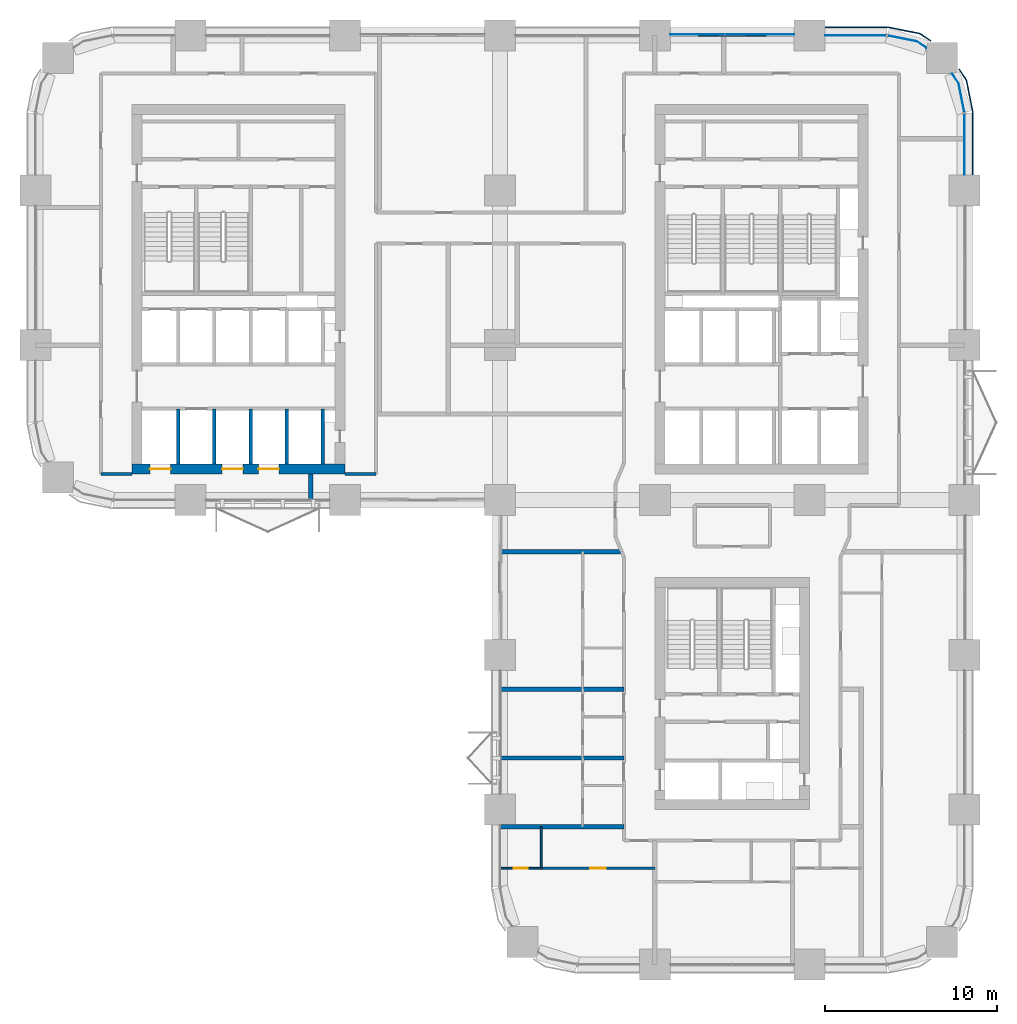
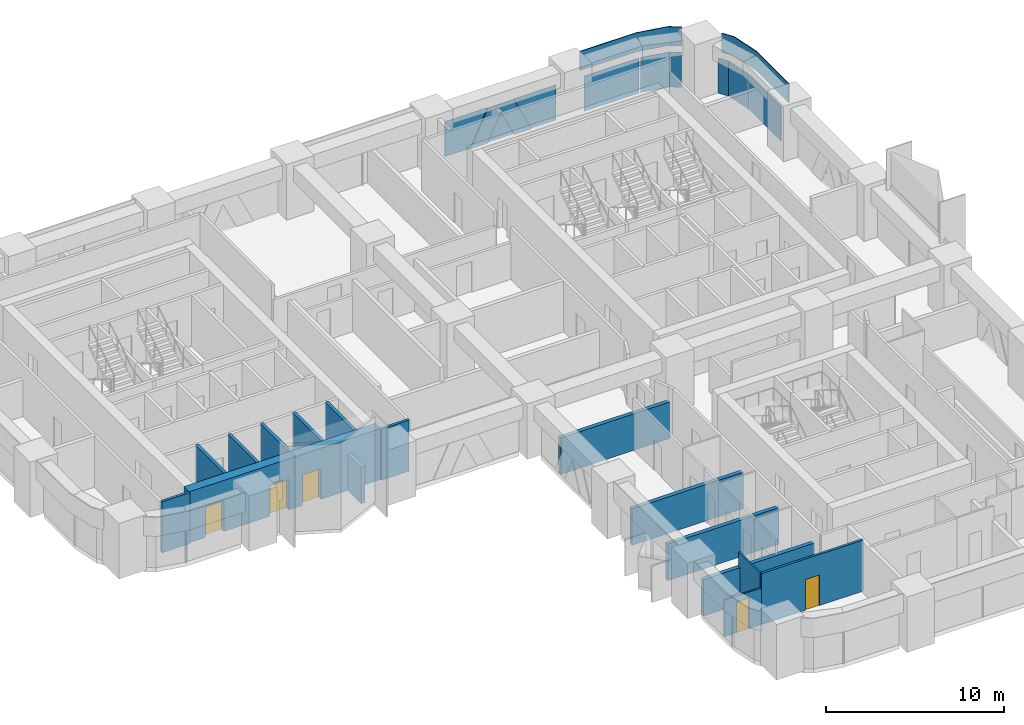
# One storey, part 12 of 24: 16 walls, 10 plates, 5 doors, 5 openings, 3 elements without a shape of their own.
"""IFC4 building model written with IfcOpenShell, lengths in metres."""

from ifc_helpers import new_model, si_unit, direction, frame, frame_2d, origin, origin_2d, place, context, subcontext, project, spatial, polyline, rectangle, outline, extrude, material, layer, layer_set, type_object, element, fill, aggregate, save


model = new_model("IFC4")

# Units and contexts
model_context = context("Model", 3, precision=1e-05, world=origin(), true_north=direction((0.0, 1.0)))
body_context = subcontext(model_context, "Body", "Model", "MODEL_VIEW")
ifc_project = project(units=[si_unit("LENGTHUNIT", "METRE"), si_unit("AREAUNIT", "SQUARE_METRE"), si_unit("VOLUMEUNIT", "CUBIC_METRE"), si_unit("PLANEANGLEUNIT", "RADIAN"), si_unit("MASSUNIT", "GRAM", prefix="KILO")], contexts=[model_context])

# Site, building, storey
site_placement = place(None, origin())
site = spatial("IfcSite", under=ifc_project, at=site_placement, CompositionType="ELEMENT")
building_placement = place(site_placement, origin())
building = spatial("IfcBuilding", under=site, at=building_placement, Name="Tessera Arch", CompositionType="ELEMENT")
storey_placement = place(building_placement, frame((0.0, 0.0, 81.60009765625)))
storey = spatial("IfcBuildingStorey", under=building, at=storey_placement, Name="L18", CompositionType="ELEMENT", Elevation=81.60009765625)

# Curtain wall, plates
ifc_material_1 = material(Name="CW2 curtain wall")
curtain_wall_type_1 = type_object("IfcCurtainWallType", Name="CW2 curtain wall", PredefinedType="NOTDEFINED", material=ifc_material_1)
curtain_wall_1_placement = place(storey_placement, origin())
curtain_wall_1 = element("IfcCurtainWall", 1, at=curtain_wall_1_placement, inside=storey, type_object=curtain_wall_type_1, Name="CW2 curtain wall E54.0/5 L18", PredefinedType="NOTDEFINED")
ifc_material_2 = material(Name="Clear low-e glass", Category="glass")
ifc_material_3 = material(Name="Clear low-e glass", Category="glass")
ifc_layer_1 = layer(ifc_material_3, 0.028076171875)
ifc_layer_set_1 = layer_set([ifc_layer_1], Name="CW2 glass panel")
plate_type_1 = type_object("IfcPlateType", Name="CW2 glass panel", PredefinedType="CURTAIN_PANEL", material=ifc_layer_set_1)
plate_1_placement = place(storey_placement, frame((54.0, 47.679931640625, 0.0), z_axis=(0.0, 0.0, 1.0), x_axis=(0.0, 1.0, 0.0)))
plate_1 = element("IfcPlate", 2, at=plate_1_placement, type_object=plate_type_1, material=ifc_material_2, Name="CW2 glass panel E54.0/5 1.1", PredefinedType="CURTAIN_PANEL", context=body_context, shape_type="SweptSolid", body=[
    extrude(rectangle(XDim=3.56005859375, YDim=0.028076171875, at=origin_2d()), origin(), (0.0, 0.0, 1.0), 2.39990234375),
])
plate_2_placement = place(storey_placement, origin())
plate_2 = element("IfcPlate", 3, at=plate_2_placement, type_object=plate_type_1, material=ifc_material_2, Name="CW2 curved glass panel E54.0/5 2.1", PredefinedType="CURTAIN_PANEL", context=body_context, shape_type="SweptSolid", body=[
    extrude(outline(polyline([(53.644287109375, 51.216552734375), (53.978515625, 49.53662109375), (54.005859375, 49.5419921875), (53.670654296875, 51.2275390625), (53.294921875, 51.789794921875), (53.271728515625, 51.774169921875), (53.644287109375, 51.216552734375)])), origin(), (0.0, 0.0, 1.0), 2.39990234375),
])

curtain_wall_2_placement = place(storey_placement, origin())
curtain_wall_2 = element("IfcCurtainWall", 4, at=curtain_wall_2_placement, inside=storey, type_object=curtain_wall_type_1, Name="CW2 curtain wall N54.0/5 L18", PredefinedType="NOTDEFINED")
plate_3_placement = place(storey_placement, frame((47.679931640625, 54.0, 0.0), z_axis=(0.0, 0.0, 1.0), x_axis=(-1.0, 0.0, 0.0)))
plate_3 = element("IfcPlate", 5, at=plate_3_placement, type_object=plate_type_1, material=ifc_material_2, Name="CW2 glass panel N54.0/5 1.1", PredefinedType="CURTAIN_PANEL", context=body_context, shape_type="SweptSolid", body=[
    extrude(rectangle(XDim=3.56005859375, YDim=0.028076171875, at=origin_2d()), origin(), (0.0, 0.0, 1.0), 2.39990234375),
])
plate_4_placement = place(storey_placement, origin())
plate_4 = element("IfcPlate", 6, at=plate_4_placement, type_object=plate_type_1, material=ifc_material_2, Name="CW2 curved glass panel N54.0/5 2.1", PredefinedType="CURTAIN_PANEL", context=body_context, shape_type="SweptSolid", body=[
    extrude(outline(polyline([(51.216552734375, 53.644287109375), (51.774169921875, 53.271728515625), (51.789794921875, 53.294921875), (51.2275390625, 53.670654296875), (49.5419921875, 54.005859375), (49.53662109375, 53.978515625), (51.216552734375, 53.644287109375)])), origin(), (0.0, 0.0, 1.0), 2.39990234375),
])

# Plate
ifc_material_4 = material(Name="Pale anodised aluminium panel", Category="aluminium")
ifc_layer_2 = layer(ifc_material_4, 0.06005859375)
ifc_layer_set_2 = layer_set([ifc_layer_2], Name="CW2 spandrel panel")
plate_type_2 = type_object("IfcPlateType", Name="CW2 spandrel panel", PredefinedType="CURTAIN_PANEL", material=ifc_layer_set_2)
plate_5_placement = place(storey_placement, frame((0.0, 0.0, 2.5)))
plate_5 = element("IfcPlate", 7, at=plate_5_placement, type_object=plate_type_2, Name="CW2 spandrel panel E54.0/5", PredefinedType="CURTAIN_PANEL", context=body_context, shape_type="SweptSolid", body=[
    extrude(outline(polyline([(54.449951171875, 49.499267578125), (54.449951171875, 45.89990234375), (54.510009765625, 45.89990234375), (54.510009765625, 49.500732421875), (54.507568359375, 49.550048828125), (54.500244140625, 49.598876953125), (54.157470703125, 51.322265625), (54.1455078125, 51.3701171875), (54.128662109375, 51.417236328125), (54.107177734375, 51.462646484375), (54.08203125, 51.5048828125), (53.707275390625, 52.0654296875), (53.657470703125, 52.031982421875), (54.03125, 51.47265625), (54.05419921875, 51.434326171875), (54.0732421875, 51.394287109375), (54.088134765625, 51.352783203125), (54.09912109375, 51.30908203125), (54.441162109375, 49.588623046875), (54.44775390625, 49.544189453125), (54.449951171875, 49.499267578125)])), origin(), (0.0, 0.0, 1.0), 1.2998046875),
])

aggregate(curtain_wall_1, [plate_1, plate_2, plate_5])

plate_6_placement = place(storey_placement, frame((0.0, 0.0, 2.5)))
plate_6 = element("IfcPlate", 8, at=plate_6_placement, type_object=plate_type_2, Name="CW2 spandrel panel N54.0/5", PredefinedType="CURTAIN_PANEL", context=body_context, shape_type="SweptSolid", body=[
    extrude(outline(polyline([(51.47265625, 54.03125), (52.031982421875, 53.657470703125), (52.0654296875, 53.707275390625), (51.5048828125, 54.08203125), (51.462646484375, 54.107177734375), (51.417236328125, 54.128662109375), (51.3701171875, 54.1455078125), (51.322265625, 54.157470703125), (49.598876953125, 54.500244140625), (49.550048828125, 54.507568359375), (49.500732421875, 54.510009765625), (45.89990234375, 54.510009765625), (45.89990234375, 54.449951171875), (49.499267578125, 54.449951171875), (49.544189453125, 54.44775390625), (49.588623046875, 54.441162109375), (51.30908203125, 54.09912109375), (51.352783203125, 54.088134765625), (51.394287109375, 54.0732421875), (51.434326171875, 54.05419921875), (51.47265625, 54.03125)])), origin(), (0.0, 0.0, 1.0), 1.2998046875),
])

aggregate(curtain_wall_2, [plate_3, plate_4, plate_6])

# Curtain wall, plates
ifc_material_5 = material(Name="CW3 curtain wall")
curtain_wall_type_2 = type_object("IfcCurtainWallType", Name="CW3 curtain wall", PredefinedType="NOTDEFINED", material=ifc_material_5)
curtain_wall_3_placement = place(storey_placement, origin())
curtain_wall_3 = element("IfcCurtainWall", 9, at=curtain_wall_3_placement, inside=storey, type_object=curtain_wall_type_2, Name="CW3 curtain wall N54.0/0 L18", PredefinedType="NOTDEFINED")
ifc_material_6 = material(Name="Pale anodised aluminium panel", Category="aluminium")
ifc_layer_3 = layer(ifc_material_6, 0.06005859375)
ifc_layer_set_3 = layer_set([ifc_layer_3], Name="CW3 diagonal panel")
plate_type_3 = type_object("IfcPlateType", Name="CW3 diagonal panel", PredefinedType="CURTAIN_PANEL", material=ifc_layer_set_3)
plate_7_placement = place(storey_placement, frame((39.665771484375, 54.030029296875, 2.39990234375), z_axis=(0.0, 1.0, 0.0), x_axis=(1.0, 0.0, 0.0)))
plate_7 = element("IfcPlate", 10, at=plate_7_placement, type_object=plate_type_3, Name="CW3 diagonal panel N54.0/0 1", PredefinedType="CURTAIN_PANEL", context=body_context, shape_type="SweptSolid", body=[
    extrude(outline(polyline([(0.0, 0.0), (1.66845703125, 0.0), (2.80517578125, 2.39990234375), (1.705322265625, 2.39990234375), (0.834228515625, 0.56103515625), (-0.036865234375, 2.39990234375), (-1.13671875, 2.39990234375), (0.0, 0.0)])), origin(), (0.0, 0.0, -1.0), 0.06005859375),
])
ifc_material_7 = material(Name="Clear low-e glass", Category="glass")
ifc_layer_4 = layer(ifc_material_7, 0.028076171875)
ifc_layer_set_4 = layer_set([ifc_layer_4], Name="CW3 glass panel")
plate_type_4 = type_object("IfcPlateType", Name="CW3 glass panel", PredefinedType="CURTAIN_PANEL", material=ifc_layer_set_4)
plate_8_placement = place(storey_placement, frame((44.10009765625, 54.05810546875, 0.0), z_axis=(0.0, 1.0, 0.0), x_axis=(-1.0, 0.0, 0.0)))
plate_8 = element("IfcPlate", 11, at=plate_8_placement, type_object=plate_type_4, material=ifc_material_2, Name="CW3 triangulated glass panel N54.0/0 1", PredefinedType="CURTAIN_PANEL", context=body_context, shape_type="SweptSolid", body=[
    extrude(outline(polyline([(0.0, 0.0), (1.629150390625, 0.0), (2.765869140625, 2.39990234375), (0.0, 2.39990234375), (0.0, 0.0)])), origin(), (0.0, 0.0, -1.0), 0.028076171875),
])
plate_9_placement = place(storey_placement, frame((41.37109375, 54.0859375, 0.0), z_axis=(0.0, 1.0, 0.0), x_axis=(-1.0, 0.0, 0.0)))
plate_9 = element("IfcPlate", 12, at=plate_9_placement, type_object=plate_type_4, material=ifc_material_2, Name="CW3 triangulated glass panel N54.0/0 2", PredefinedType="CURTAIN_PANEL", context=body_context, shape_type="SweptSolid", body=[
    extrude(outline(polyline([(0.0, 0.0), (1.7421875, 0.0), (0.87109375, 1.8388671875), (0.0, 0.0)])), origin(), (0.0, 0.0, -1.0), 0.028076171875),
])
plate_10_placement = place(storey_placement, frame((36.89990234375, 54.05810546875, 2.39990234375), z_axis=(0.0, 1.0, 0.0), x_axis=(1.0, 0.0, 0.0)))
plate_10 = element("IfcPlate", 13, at=plate_10_placement, type_object=plate_type_4, material=ifc_material_2, Name="CW3 triangulated glass panel N54.0/0 3", PredefinedType="CURTAIN_PANEL", context=body_context, shape_type="SweptSolid", body=[
    extrude(outline(polyline([(0.0, 0.0), (2.765869140625, 0.0), (1.629150390625, 2.39990234375), (0.0, 2.39990234375), (0.0, 0.0)])), origin(), (0.0, 0.0, -1.0), 0.028076171875),
])
aggregate(curtain_wall_3, [plate_8, plate_9, plate_10, plate_7])

# Wall, openings, doors
ifc_material_8 = material(Name="Concrete C70/85", Category="concrete")
ifc_layer_5 = layer(ifc_material_8, 0.60009765625)
ifc_layer_set_5 = layer_set([ifc_layer_5], Name="Core shell wall 600 C70-85")
wall_type_1 = type_object("IfcWallType", Name="Core shell wall 600 C70-85", PredefinedType="SHEAR", material=ifc_layer_set_5)
wall_1_placement = place(storey_placement, frame((5.60009765625, 28.800048828125, 0.0), z_axis=(0.0, 0.0, 1.0), x_axis=(1.0, 0.0, 0.0)))
wall_1 = element("IfcWall", 14, at=wall_1_placement, inside=storey, type_object=wall_type_1, Name="L18 C2 core wall S", PredefinedType="SHEAR", context=body_context, shape_type="SweptSolid", body=[
    extrude(rectangle(XDim=12.39990234375, YDim=0.60009765625, at=frame_2d((6.199951171875, 0.0))), origin(), (0.0, 0.0, 1.0), 3.5),
])
opening_1_placement = place(wall_1_placement, frame((1.050048828125, 0.0, 0.0)))
opening_1 = element("IfcOpeningElement", 15, at=opening_1_placement, cuts=wall_1, Name="Opening L18-C15", PredefinedType="OPENING", context=body_context, shape_type="SweptSolid", body=[
    extrude(rectangle(XDim=1.199951171875, YDim=2.10009765625, at=frame_2d((0.60009765625, 1.050048828125))), frame((0.0, 0.31005859375, 0.0), z_axis=(0.0, -1.0, 0.0), x_axis=(1.0, 0.0, 0.0)), (0.0, 0.0, 1.0), 0.6201171875),
])
opening_2_placement = place(wall_1_placement, frame((5.25, 0.0, 0.0)))
opening_2 = element("IfcOpeningElement", 16, at=opening_2_placement, cuts=wall_1, Name="Opening L18-C17", PredefinedType="OPENING", context=body_context, shape_type="SweptSolid", body=[
    extrude(rectangle(XDim=1.199951171875, YDim=2.10009765625, at=frame_2d((0.60009765625, 1.050048828125))), frame((0.0, 0.31005859375, 0.0), z_axis=(0.0, -1.0, 0.0), x_axis=(1.0, 0.0, 0.0)), (0.0, 0.0, 1.0), 0.6201171875),
])
opening_3_placement = place(wall_1_placement, frame((7.35009765625, 0.0, 0.0)))
opening_3 = element("IfcOpeningElement", 17, at=opening_3_placement, cuts=wall_1, Name="Opening L18-C18", PredefinedType="OPENING", context=body_context, shape_type="SweptSolid", body=[
    extrude(rectangle(XDim=1.199951171875, YDim=2.10009765625, at=frame_2d((0.60009765625, 1.050048828125))), frame((0.0, 0.31005859375, 0.0), z_axis=(0.0, -1.0, 0.0), x_axis=(1.0, 0.0, 0.0)), (0.0, 0.0, 1.0), 0.6201171875),
])
ifc_material_9 = material(Name="Stainless steel AISI 304", Category="steel")
door_type_1 = type_object("IfcDoorType", Name="Sliding landing door 1200 x 2100", OperationType="SLIDING_TO_LEFT", PredefinedType="DOOR", material=ifc_material_9)
door_1_placement = place(opening_1_placement, origin())
door_1 = element("IfcDoor", 18, at=door_1_placement, inside=storey, type_object=door_type_1, Name="L18 LR1 lift landing door C15 type LD", OperationType="SLIDING_TO_LEFT", OverallHeight=2.10009765625, OverallWidth=1.199951171875, PredefinedType="DOOR", context=body_context, shape_type="SweptSolid", body=[
    extrude(rectangle(XDim=1.199951171875, YDim=2.10009765625, at=frame_2d((0.60009765625, 1.050048828125))), frame((0.0, 0.02490234375, 0.0), z_axis=(0.0, -1.0, 0.0), x_axis=(1.0, 0.0, 0.0)), (0.0, 0.0, 1.0), 0.050048828125),
])
fill(opening_1, door_1)
door_2_placement = place(opening_2_placement, origin())
door_2 = element("IfcDoor", 19, at=door_2_placement, inside=storey, type_object=door_type_1, Name="L18 LR3 lift landing door C17 type LD", OperationType="SLIDING_TO_LEFT", OverallHeight=2.10009765625, OverallWidth=1.199951171875, PredefinedType="DOOR", context=body_context, shape_type="SweptSolid", body=[
    extrude(rectangle(XDim=1.199951171875, YDim=2.10009765625, at=frame_2d((0.60009765625, 1.050048828125))), frame((0.0, 0.02490234375, 0.0), z_axis=(0.0, -1.0, 0.0), x_axis=(1.0, 0.0, 0.0)), (0.0, 0.0, 1.0), 0.050048828125),
])
fill(opening_2, door_2)
door_3_placement = place(opening_3_placement, origin())
door_3 = element("IfcDoor", 20, at=door_3_placement, inside=storey, type_object=door_type_1, Name="L18 LR4 lift landing door C18 type LD", OperationType="SLIDING_TO_LEFT", OverallHeight=2.10009765625, OverallWidth=1.199951171875, PredefinedType="DOOR", context=body_context, shape_type="SweptSolid", body=[
    extrude(rectangle(XDim=1.199951171875, YDim=2.10009765625, at=frame_2d((0.60009765625, 1.050048828125))), frame((0.0, 0.02490234375, 0.0), z_axis=(0.0, -1.0, 0.0), x_axis=(1.0, 0.0, 0.0)), (0.0, 0.0, 1.0), 0.050048828125),
])
fill(opening_3, door_3)

# Walls
ifc_material_10 = material(Name="Gypsum board on deep steel stud with mineral wool", Category="steel")
ifc_layer_6 = layer(ifc_material_10, 0.175048828125)
ifc_layer_set_6 = layer_set([ifc_layer_6], Name="Corridor wall 175 EI 60")
wall_type_2 = type_object("IfcWallType", Name="Corridor wall 175 EI 60", PredefinedType="PARTITIONING", material=ifc_layer_set_6)
for number, where, z_axis, x_axis, name in (
    (21, (3.800048828125, 28.5, 0.0), (0.0, 0.0, 1.0), (1.0, 0.0, 0.0), "L18 partition 5"),
    (22, (18.0, 28.5, 0.0), (0.0, 0.0, 1.0), (1.0, 0.0, 0.0), "L18 partition 6"),
):
    element("IfcWall", number, at=place(storey_placement, frame(where, z_axis=z_axis, x_axis=x_axis)), inside=storey, type_object=wall_type_2, Name=name, PredefinedType="PARTITIONING", context=body_context, shape_type="SweptSolid", body=[
        extrude(rectangle(XDim=1.800048828125, YDim=0.175048828125, at=frame_2d((0.89990234375, 0.0))), origin(), (0.0, 0.0, 1.0), 3.5),
    ])

# Wall, opening, door
ifc_material_11 = material(Name="Gypsum board on steel stud", Category="steel")
ifc_layer_7 = layer(ifc_material_11, 0.14990234375)
ifc_layer_set_7 = layer_set([ifc_layer_7], Name="Partition 150")
wall_type_3 = type_object("IfcWallType", Name="Partition 150", PredefinedType="PARTITIONING", material=ifc_layer_set_7)
wall_2_placement = place(storey_placement, frame((29.39990234375, 5.60009765625, 0.0), z_axis=(0.0, 0.0, 1.0), x_axis=(1.0, 0.0, 0.0)))
wall_2 = element("IfcWall", 23, at=wall_2_placement, inside=storey, type_object=wall_type_3, Name="L18 partition 24", PredefinedType="PARTITIONING", context=body_context, shape_type="SweptSolid", body=[
    extrude(rectangle(XDim=6.60009765625, YDim=0.14990234375, at=frame_2d((3.300048828125, 0.0))), origin(), (0.0, 0.0, 1.0), 3.5),
])
opening_4_placement = place(wall_2_placement, frame((2.85009765625, 0.0, 0.0)))
opening_4 = element("IfcOpeningElement", 24, at=opening_4_placement, cuts=wall_2, Name="Opening L18-D008", PredefinedType="OPENING", context=body_context, shape_type="SweptSolid", body=[
    extrude(rectangle(XDim=0.89990234375, YDim=2.10009765625, at=frame_2d((0.449951171875, 1.050048828125))), frame((0.0, 0.0849609375, 0.0), z_axis=(0.0, -1.0, 0.0), x_axis=(1.0, 0.0, 0.0)), (0.0, 0.0, 1.0), 0.169921875),
])
ifc_material_12 = material(Name="Timber door leaf", Category="wood")
door_type_2 = type_object("IfcDoorType", Name="Room door 900 x 2100", OperationType="SINGLE_SWING_LEFT", PredefinedType="DOOR", material=ifc_material_12)
door_4_placement = place(opening_4_placement, origin())
door_4 = element("IfcDoor", 25, at=door_4_placement, inside=storey, type_object=door_type_2, Name="L18 door D008 type D01", OperationType="SINGLE_SWING_LEFT", OverallHeight=2.10009765625, OverallWidth=0.89990234375, PredefinedType="DOOR", context=body_context, shape_type="SweptSolid", body=[
    extrude(rectangle(XDim=0.89990234375, YDim=2.10009765625, at=frame_2d((0.449951171875, 1.050048828125))), frame((0.0, 0.02490234375, 0.0), z_axis=(0.0, -1.0, 0.0), x_axis=(1.0, 0.0, 0.0)), (0.0, 0.0, 1.0), 0.050048828125),
])
fill(opening_4, door_4)

# Walls
ifc_material_13 = material(Name="Double gypsum board on twin steel stud with acoustic mineral wool", Category="steel")
ifc_layer_8 = layer(ifc_material_13, 0.25)
ifc_layer_set_8 = layer_set([ifc_layer_8], Name="Party wall 250 EI 60")
wall_type_4 = type_object("IfcWallType", Name="Party wall 250 EI 60", PredefinedType="PARTITIONING", material=ifc_layer_set_8)
for number, where, z_axis, x_axis, name in (
    (26, (27.0, 8.0, 0.0), (0.0, 0.0, 1.0), (1.0, 0.0, 0.0), "L18 partition 30"),
    (27, (27.0, 12.0, 0.0), (0.0, 0.0, 1.0), (1.0, 0.0, 0.0), "L18 partition 32"),
    (28, (27.0, 16.0, 0.0), (0.0, 0.0, 1.0), (1.0, 0.0, 0.0), "L18 partition 33"),
):
    element("IfcWall", number, at=place(storey_placement, frame(where, z_axis=z_axis, x_axis=x_axis)), inside=storey, type_object=wall_type_4, Name=name, PredefinedType="PARTITIONING", context=body_context, shape_type="SweptSolid", body=[
        extrude(rectangle(XDim=7.199951171875, YDim=0.25, at=frame_2d((3.60009765625, 0.0))), origin(), (0.0, 0.0, 1.0), 2.5),
    ])
wall_3_placement = place(storey_placement, frame((27.0, 24.0, 0.0), z_axis=(0.0, 0.0, 1.0), x_axis=(1.0, 0.0, 0.0)))
element("IfcWall", 29, at=wall_3_placement, inside=storey, type_object=wall_type_4, Name="L18 partition 35", PredefinedType="PARTITIONING", context=body_context, shape_type="SweptSolid", body=[
    extrude(rectangle(XDim=7.07080078125, YDim=0.25, at=frame_2d((3.535400390625, 0.0))), origin(), (0.0, 0.0, 1.0), 2.5),
])
wall_4_placement = place(storey_placement, frame((16.0, 27.0, 0.0), z_axis=(0.0, 0.0, 1.0), x_axis=(0.0, 1.0, 0.0)))
element("IfcWall", 30, at=wall_4_placement, inside=storey, type_object=wall_type_4, Name="L18 partition 46", PredefinedType="PARTITIONING", context=body_context, shape_type="SweptSolid", body=[
    extrude(rectangle(XDim=1.5, YDim=0.25, at=frame_2d((0.75, 0.0))), origin(), (0.0, 0.0, 1.0), 2.5),
])
ifc_material_14 = material(Name="Concrete C40/50", Category="concrete")
ifc_layer_9 = layer(ifc_material_14, 0.199951171875)
ifc_layer_set_9 = layer_set([ifc_layer_9], Name="Shaft wall 200 EI 120")
wall_type_5 = type_object("IfcWallType", Name="Shaft wall 200 EI 120", PredefinedType="SOLIDWALL", material=ifc_layer_set_9)
for number, where, z_axis, x_axis, name in (
    (31, (8.300048828125, 29.10009765625, 0.0), (0.0, 0.0, 1.0), (0.0, 1.0, 0.0), "L18 C2 shaft wall 1"),
    (32, (10.39990234375, 29.10009765625, 0.0), (0.0, 0.0, 1.0), (0.0, 1.0, 0.0), "L18 C2 shaft wall 5"),
    (33, (12.5, 29.10009765625, 0.0), (0.0, 0.0, 1.0), (0.0, 1.0, 0.0), "L18 C2 shaft wall 8"),
    (34, (14.60009765625, 29.10009765625, 0.0), (0.0, 0.0, 1.0), (0.0, 1.0, 0.0), "L18 C2 shaft wall 12"),
    (35, (16.699951171875, 29.10009765625, 0.0), (0.0, 0.0, 1.0), (0.0, 1.0, 0.0), "L18 C2 shaft wall 15"),
):
    element("IfcWall", number, at=place(storey_placement, frame(where, z_axis=z_axis, x_axis=x_axis)), inside=storey, type_object=wall_type_5, Name=name, PredefinedType="SOLIDWALL", context=body_context, shape_type="SweptSolid", body=[
        extrude(rectangle(XDim=3.199951171875, YDim=0.199951171875, at=frame_2d((1.60009765625, 0.0))), origin(), (0.0, 0.0, 1.0), 3.5),
    ])

# Wall, opening, door
ifc_material_15 = material(Name="Moisture-resistant board on pre-plumbed steel stud", Category="steel")
ifc_layer_10 = layer(ifc_material_15, 0.10009765625)
ifc_layer_set_10 = layer_set([ifc_layer_10], Name="Wet wall 100")
wall_type_6 = type_object("IfcWallType", Name="Wet wall 100", PredefinedType="PARTITIONING", material=ifc_layer_set_10)
wall_5_placement = place(storey_placement, frame((27.0, 5.60009765625, 0.0), z_axis=(0.0, 0.0, 1.0), x_axis=(1.0, 0.0, 0.0)))
wall_5 = element("IfcWall", 36, at=wall_5_placement, inside=storey, type_object=wall_type_6, Name="L18 partition 58", PredefinedType="PARTITIONING", context=body_context, shape_type="SweptSolid", body=[
    extrude(rectangle(XDim=2.39990234375, YDim=0.10009765625, at=frame_2d((1.199951171875, 0.0))), origin(), (0.0, 0.0, 1.0), 2.5),
])
opening_5_placement = place(wall_5_placement, frame((0.800048828125, 0.0, 0.0)))
opening_5 = element("IfcOpeningElement", 37, at=opening_5_placement, cuts=wall_5, Name="Opening L18-D009", PredefinedType="OPENING", context=body_context, shape_type="SweptSolid", body=[
    extrude(rectangle(XDim=0.800048828125, YDim=2.10009765625, at=frame_2d((0.39990234375, 1.050048828125))), frame((0.0, 0.06005859375, 0.0), z_axis=(0.0, -1.0, 0.0), x_axis=(1.0, 0.0, 0.0)), (0.0, 0.0, 1.0), 0.1201171875),
])
ifc_material_16 = material(Name="Timber door leaf", Category="wood")
door_type_3 = type_object("IfcDoorType", Name="En-suite door 800 x 2100", OperationType="SINGLE_SWING_LEFT", PredefinedType="DOOR", material=ifc_material_16)
door_5_placement = place(opening_5_placement, origin())
door_5 = element("IfcDoor", 38, at=door_5_placement, inside=storey, type_object=door_type_3, Name="L18 door D009 type D02", OperationType="SINGLE_SWING_RIGHT", OverallHeight=2.10009765625, OverallWidth=0.800048828125, PredefinedType="DOOR", context=body_context, shape_type="SweptSolid", body=[
    extrude(rectangle(XDim=0.800048828125, YDim=2.10009765625, at=frame_2d((0.39990234375, 1.050048828125))), frame((0.0, 0.02490234375, 0.0), z_axis=(0.0, -1.0, 0.0), x_axis=(1.0, 0.0, 0.0)), (0.0, 0.0, 1.0), 0.050048828125),
])
fill(opening_5, door_5)

# Wall
wall_6_placement = place(storey_placement, frame((29.39990234375, 5.60009765625, 0.0), z_axis=(0.0, 0.0, 1.0), x_axis=(0.0, 1.0, 0.0)))
element("IfcWall", 39, at=wall_6_placement, inside=storey, type_object=wall_type_6, Name="L18 partition 64", PredefinedType="PARTITIONING", context=body_context, shape_type="SweptSolid", body=[
    extrude(rectangle(XDim=2.39990234375, YDim=0.10009765625, at=frame_2d((1.199951171875, 0.0))), origin(), (0.0, 0.0, 1.0), 3.5),
])

save(model, "model.ifc")
